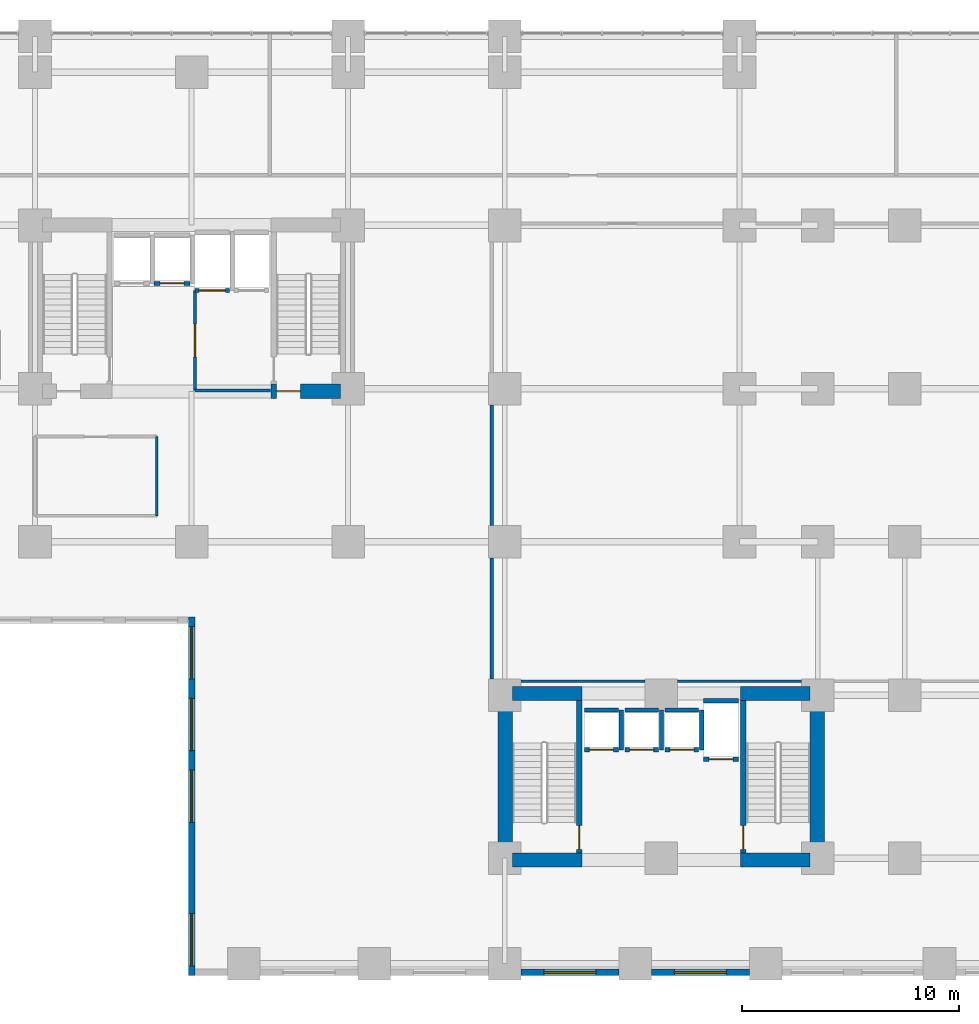
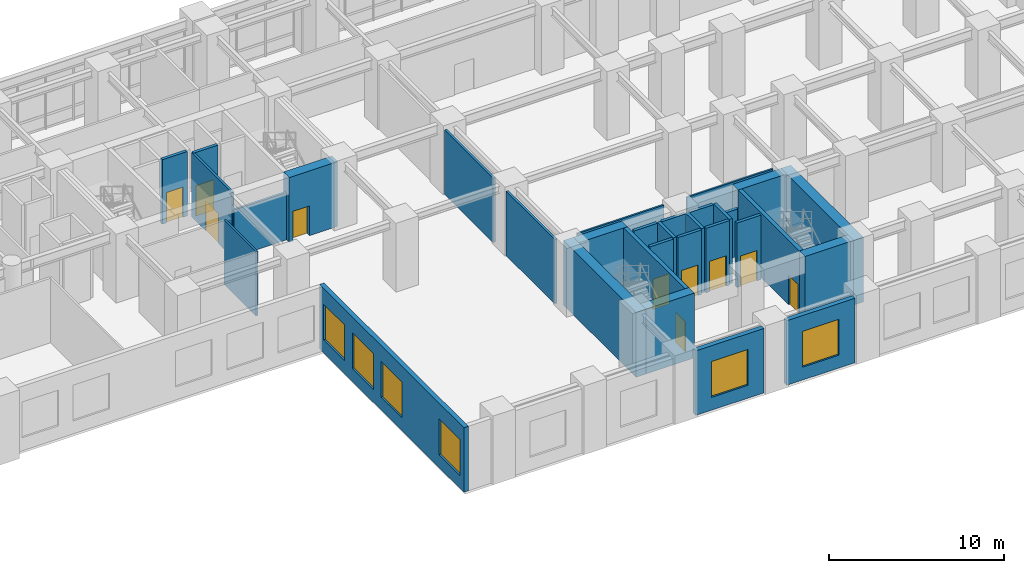
# One storey, part 16 of 22: 32 walls, 10 doors, 6 windows, 16 openings.
"""IFC4 building model written with IfcOpenShell, lengths in metres."""

from ifc_helpers import new_model, si_unit, direction, frame, frame_2d, origin, place, context, subcontext, project, spatial, rectangle, extrude, material, layer, layer_set, type_object, element, fill, save


model = new_model("IFC4")

# Units and contexts
model_context = context("Model", 3, precision=1e-05, world=origin(), true_north=direction((0.0, 1.0)))
body_context = subcontext(model_context, "Body", "Model", "MODEL_VIEW")
ifc_project = project(units=[si_unit("LENGTHUNIT", "METRE"), si_unit("AREAUNIT", "SQUARE_METRE"), si_unit("VOLUMEUNIT", "CUBIC_METRE"), si_unit("PLANEANGLEUNIT", "RADIAN"), si_unit("MASSUNIT", "GRAM", prefix="KILO")], contexts=[model_context])

# Site, building, storey
site_placement = place(None, origin())
site = spatial("IfcSite", under=ifc_project, at=site_placement, CompositionType="ELEMENT")
building_placement = place(site_placement, origin())
building = spatial("IfcBuilding", under=site, at=building_placement, Name="Kaliganga Portal Commons", CompositionType="ELEMENT")
storey_placement = place(building_placement, frame((0.0, 0.0, 5.39990234375)))
storey = spatial("IfcBuildingStorey", under=building, at=storey_placement, Name="L01", CompositionType="ELEMENT", Elevation=5.39990234375)

# Wall, opening, door
ifc_material_1 = material(Name="Concrete C70/85", Category="concrete")
ifc_layer_1 = layer(ifc_material_1, 0.64990234375)
ifc_layer_set_1 = layer_set([ifc_layer_1], Name="Concrete C70/85")
wall_type_1 = type_object("IfcWallType", Name="WL-CORE-650", PredefinedType="SHEAR", material=ifc_layer_set_1)
wall_1_placement = place(storey_placement, frame((25.25, 28.52490234375, 0.0), z_axis=(0.0, 0.0, 1.0), x_axis=(1.0, 0.0, 0.0)))
wall_1 = element("IfcWall", 1, at=wall_1_placement, inside=storey, type_object=wall_type_1, Name="Core A S-East Shear Wall L01", PredefinedType="SHEAR", context=body_context, shape_type="SweptSolid", body=[
    extrude(rectangle(XDim=3.199951171875, YDim=0.64990234375, at=frame_2d((1.60009765625, 0.0))), origin(), (0.0, 0.0, 1.0), 4.52001953125),
])
opening_1_placement = place(wall_1_placement, frame((0.25, 0.0, 0.0)))
opening_1 = element("IfcOpeningElement", 2, at=opening_1_placement, cuts=wall_1, Name="Opening SD-01", PredefinedType="OPENING", context=body_context, shape_type="SweptSolid", body=[
    extrude(rectangle(XDim=1.10009765625, YDim=2.080078125, at=frame_2d((0.550048828125, 1.0400390625))), frame((0.0, 0.3349609375, 0.0), z_axis=(0.0, -1.0, 0.0), x_axis=(1.0, 0.0, 0.0)), (0.0, 0.0, 1.0), 0.669921875),
])
ifc_material_2 = material(Name="Galvanized Steel Fire Door Leaf and Frame", Category="steel")
door_type_1 = type_object("IfcDoorType", Name="DR-STAIR-1100", OperationType="NOTDEFINED", PredefinedType="DOOR", material=ifc_material_2)
door_1_placement = place(opening_1_placement, origin())
door_1 = element("IfcDoor", 3, at=door_1_placement, inside=storey, type_object=door_type_1, Name="Protected Stair ST-A2 Concourse Fire Door L01", OperationType="SINGLE_SWING_RIGHT", OverallHeight=2.080078125, OverallWidth=1.10009765625, PredefinedType="DOOR", context=body_context, shape_type="SweptSolid", body=[
    extrude(rectangle(XDim=1.10009765625, YDim=2.080078125, at=frame_2d((0.550048828125, 1.0400390625))), frame((0.0, 0.02490234375, 0.0), z_axis=(0.0, -1.0, 0.0), x_axis=(1.0, 0.0, 0.0)), (0.0, 0.0, 1.0), 0.050048828125),
])
fill(opening_1, door_1)

# Walls
for number, where, z_axis, x_axis, name in (
    (4, (36.02490234375, 6.64990234375, 0.0), (0.0, 0.0, 1.0), (0.0, 1.0, 0.0), "Core B West Shear Wall L01"),
    (5, (50.375, 6.64990234375, 0.0), (0.0, 0.0, 1.0), (0.0, 1.0, 0.0), "Core B East Shear Wall L01"),
):
    element("IfcWall", number, at=place(storey_placement, frame(where, z_axis=z_axis, x_axis=x_axis)), inside=storey, type_object=wall_type_1, Name=name, PredefinedType="SHEAR", context=body_context, shape_type="SweptSolid", body=[
        extrude(rectangle(XDim=8.300048828125, YDim=0.64990234375, at=frame_2d((4.14990234375, 0.0))), origin(), (0.0, 0.0, 1.0), 4.52001953125),
    ])
for number, where, z_axis, x_axis, name in (
    (6, (36.35009765625, 6.97509765625, 0.0), (0.0, 0.0, 1.0), (1.0, 0.0, 0.0), "Core B S-West Shear Wall L01"),
    (7, (46.85009765625, 6.97509765625, 0.0), (0.0, 0.0, 1.0), (1.0, 0.0, 0.0), "Core B S-East Shear Wall L01"),
    (8, (36.35009765625, 14.625, 0.0), (0.0, 0.0, 1.0), (1.0, 0.0, 0.0), "Core B N-West Shear Wall L01"),
    (9, (46.85009765625, 14.625, 0.0), (0.0, 0.0, 1.0), (1.0, 0.0, 0.0), "Core B N-East Shear Wall L01"),
):
    element("IfcWall", number, at=place(storey_placement, frame(where, z_axis=z_axis, x_axis=x_axis)), inside=storey, type_object=wall_type_1, Name=name, PredefinedType="SHEAR", context=body_context, shape_type="SweptSolid", body=[
        extrude(rectangle(XDim=3.199951171875, YDim=0.64990234375, at=frame_2d((1.60009765625, 0.0))), origin(), (0.0, 0.0, 1.0), 4.52001953125),
    ])

# Wall, opening, window
ifc_material_3 = material(Name="Precast concrete C40/50", Category="concrete")
ifc_layer_2 = layer(ifc_material_3, 0.300048828125)
ifc_layer_set_2 = layer_set([ifc_layer_2], Name="Precast concrete C40/50")
wall_type_2 = type_object("IfcWallType", Name="WL-EXT-POD-300", PredefinedType="STANDARD", material=ifc_layer_set_2)
wall_2_placement = place(storey_placement, frame((41.2490234375, 1.800048828125, 0.0), z_axis=(0.0, 0.0, 1.0), x_axis=(-1.0, 0.0, 0.0)))
wall_2 = element("IfcWall", 10, at=wall_2_placement, inside=storey, type_object=wall_type_2, Name="Exterior Envelope Wall L01 P1-E00-S4", PredefinedType="STANDARD", context=body_context, shape_type="SweptSolid", body=[
    extrude(rectangle(XDim=4.498046875, YDim=0.300048828125, at=frame_2d((2.2490234375, 0.0))), origin(), (0.0, 0.0, 1.0), 4.5),
])
opening_2_placement = place(wall_2_placement, frame((1.049072265625, 0.0, 0.89990234375)))
opening_2 = element("IfcOpeningElement", 11, at=opening_2_placement, cuts=wall_2, Name="Opening W-05", PredefinedType="OPENING", context=body_context, shape_type="SweptSolid", body=[
    extrude(rectangle(XDim=2.39990234375, YDim=2.5, at=frame_2d((1.199951171875, 1.25))), frame((0.0, 0.16015625, 0.0), z_axis=(0.0, -1.0, 0.0), x_axis=(1.0, 0.0, 0.0)), (0.0, 0.0, 1.0), 0.320068359375),
])
ifc_material_4 = material(Name="Thermally Broken Aluminium and Low-E Double Glazing", Category="aluminium")
window_type = type_object("IfcWindowType", Name="WIN-POD-2400", PartitioningType="TRIPLE_PANEL_VERTICAL", PredefinedType="WINDOW", material=ifc_material_4)
window_1_placement = place(opening_2_placement, origin())
window_1 = element("IfcWindow", 12, at=window_1_placement, inside=storey, type_object=window_type, Name="Facade Window L01-P1E00S4-00", OverallHeight=2.5, OverallWidth=2.39990234375, PartitioningType="SINGLE_PANEL", PredefinedType="WINDOW", context=body_context, shape_type="SweptSolid", body=[
    extrude(rectangle(XDim=2.39990234375, YDim=2.5, at=frame_2d((1.199951171875, 1.25))), frame((0.0, 0.030029296875, 0.0), z_axis=(0.0, -1.0, 0.0), x_axis=(1.0, 0.0, 0.0)), (0.0, 0.0, 1.0), 0.06005859375),
])
fill(opening_2, window_1)

wall_3_placement = place(storey_placement, frame((47.2490234375, 1.800048828125, 0.0), z_axis=(0.0, 0.0, 1.0), x_axis=(-1.0, 0.0, 0.0)))
wall_3 = element("IfcWall", 13, at=wall_3_placement, inside=storey, type_object=wall_type_2, Name="Exterior Envelope Wall L01 P1-E00-S5", PredefinedType="STANDARD", context=body_context, shape_type="SweptSolid", body=[
    extrude(rectangle(XDim=4.498046875, YDim=0.300048828125, at=frame_2d((2.2490234375, 0.0))), origin(), (0.0, 0.0, 1.0), 4.5),
])
opening_3_placement = place(wall_3_placement, frame((1.049072265625, 0.0, 0.89990234375)))
opening_3 = element("IfcOpeningElement", 14, at=opening_3_placement, cuts=wall_3, Name="Opening W-05", PredefinedType="OPENING", context=body_context, shape_type="SweptSolid", body=[
    extrude(rectangle(XDim=2.39990234375, YDim=2.5, at=frame_2d((1.199951171875, 1.25))), frame((0.0, 0.16015625, 0.0), z_axis=(0.0, -1.0, 0.0), x_axis=(1.0, 0.0, 0.0)), (0.0, 0.0, 1.0), 0.320068359375),
])
window_2_placement = place(opening_3_placement, origin())
window_2 = element("IfcWindow", 15, at=window_2_placement, inside=storey, type_object=window_type, Name="Facade Window L01-P1E00S5-00", OverallHeight=2.5, OverallWidth=2.39990234375, PartitioningType="SINGLE_PANEL", PredefinedType="WINDOW", context=body_context, shape_type="SweptSolid", body=[
    extrude(rectangle(XDim=2.39990234375, YDim=2.5, at=frame_2d((1.199951171875, 1.25))), frame((0.0, 0.030029296875, 0.0), z_axis=(0.0, -1.0, 0.0), x_axis=(1.0, 0.0, 0.0)), (0.0, 0.0, 1.0), 0.06005859375),
])
fill(opening_3, window_2)

# Wall, openings, windows
wall_4_placement = place(storey_placement, frame((21.60009765625, 1.64990234375, 0.0), z_axis=(0.0, 0.0, 1.0), x_axis=(0.0, 1.0, 0.0)))
wall_4 = element("IfcWall", 16, at=wall_4_placement, inside=storey, type_object=wall_type_2, Name="Exterior Envelope Wall L01 P1-E05-S1", PredefinedType="STANDARD", context=body_context, shape_type="SweptSolid", body=[
    extrude(rectangle(XDim=16.5, YDim=0.300048828125, at=frame_2d((8.25, 0.0))), origin(), (0.0, 0.0, 1.0), 4.5),
])
opening_4_placement = place(wall_4_placement, frame((0.449951171875, 0.0, 0.89990234375)))
opening_4 = element("IfcOpeningElement", 17, at=opening_4_placement, cuts=wall_4, Name="Opening W-05", PredefinedType="OPENING", context=body_context, shape_type="SweptSolid", body=[
    extrude(rectangle(XDim=2.39990234375, YDim=2.5, at=frame_2d((1.199951171875, 1.25))), frame((0.0, 0.16015625, 0.0), z_axis=(0.0, -1.0, 0.0), x_axis=(1.0, 0.0, 0.0)), (0.0, 0.0, 1.0), 0.320068359375),
])
opening_5_placement = place(wall_4_placement, frame((7.050048828125, 0.0, 0.89990234375)))
opening_5 = element("IfcOpeningElement", 18, at=opening_5_placement, cuts=wall_4, Name="Opening W-05", PredefinedType="OPENING", context=body_context, shape_type="SweptSolid", body=[
    extrude(rectangle(XDim=2.39990234375, YDim=2.5, at=frame_2d((1.199951171875, 1.25))), frame((0.0, 0.16015625, 0.0), z_axis=(0.0, -1.0, 0.0), x_axis=(1.0, 0.0, 0.0)), (0.0, 0.0, 1.0), 0.320068359375),
])
opening_6_placement = place(wall_4_placement, frame((10.35009765625, 0.0, 0.89990234375)))
opening_6 = element("IfcOpeningElement", 19, at=opening_6_placement, cuts=wall_4, Name="Opening W-05", PredefinedType="OPENING", context=body_context, shape_type="SweptSolid", body=[
    extrude(rectangle(XDim=2.39990234375, YDim=2.5, at=frame_2d((1.199951171875, 1.25))), frame((0.0, 0.16015625, 0.0), z_axis=(0.0, -1.0, 0.0), x_axis=(1.0, 0.0, 0.0)), (0.0, 0.0, 1.0), 0.320068359375),
])
opening_7_placement = place(wall_4_placement, frame((13.64990234375, 0.0, 0.89990234375)))
opening_7 = element("IfcOpeningElement", 20, at=opening_7_placement, cuts=wall_4, Name="Opening W-05", PredefinedType="OPENING", context=body_context, shape_type="SweptSolid", body=[
    extrude(rectangle(XDim=2.39990234375, YDim=2.5, at=frame_2d((1.199951171875, 1.25))), frame((0.0, 0.16015625, 0.0), z_axis=(0.0, -1.0, 0.0), x_axis=(1.0, 0.0, 0.0)), (0.0, 0.0, 1.0), 0.320068359375),
])
window_3_placement = place(opening_4_placement, origin())
window_3 = element("IfcWindow", 21, at=window_3_placement, inside=storey, type_object=window_type, Name="Facade Window L01-P1E05S1-00", OverallHeight=2.5, OverallWidth=2.39990234375, PartitioningType="SINGLE_PANEL", PredefinedType="WINDOW", context=body_context, shape_type="SweptSolid", body=[
    extrude(rectangle(XDim=2.39990234375, YDim=2.5, at=frame_2d((1.199951171875, 1.25))), frame((0.0, 0.030029296875, 0.0), z_axis=(0.0, -1.0, 0.0), x_axis=(1.0, 0.0, 0.0)), (0.0, 0.0, 1.0), 0.06005859375),
])
fill(opening_4, window_3)
window_4_placement = place(opening_5_placement, origin())
window_4 = element("IfcWindow", 22, at=window_4_placement, inside=storey, type_object=window_type, Name="Facade Window L01-P1E05S1-02", OverallHeight=2.5, OverallWidth=2.39990234375, PartitioningType="SINGLE_PANEL", PredefinedType="WINDOW", context=body_context, shape_type="SweptSolid", body=[
    extrude(rectangle(XDim=2.39990234375, YDim=2.5, at=frame_2d((1.199951171875, 1.25))), frame((0.0, 0.030029296875, 0.0), z_axis=(0.0, -1.0, 0.0), x_axis=(1.0, 0.0, 0.0)), (0.0, 0.0, 1.0), 0.06005859375),
])
fill(opening_5, window_4)
window_5_placement = place(opening_6_placement, origin())
window_5 = element("IfcWindow", 23, at=window_5_placement, inside=storey, type_object=window_type, Name="Facade Window L01-P1E05S1-03", OverallHeight=2.5, OverallWidth=2.39990234375, PartitioningType="SINGLE_PANEL", PredefinedType="WINDOW", context=body_context, shape_type="SweptSolid", body=[
    extrude(rectangle(XDim=2.39990234375, YDim=2.5, at=frame_2d((1.199951171875, 1.25))), frame((0.0, 0.030029296875, 0.0), z_axis=(0.0, -1.0, 0.0), x_axis=(1.0, 0.0, 0.0)), (0.0, 0.0, 1.0), 0.06005859375),
])
fill(opening_6, window_5)
window_6_placement = place(opening_7_placement, origin())
window_6 = element("IfcWindow", 24, at=window_6_placement, inside=storey, type_object=window_type, Name="Facade Window L01-P1E05S1-04", OverallHeight=2.5, OverallWidth=2.39990234375, PartitioningType="SINGLE_PANEL", PredefinedType="WINDOW", context=body_context, shape_type="SweptSolid", body=[
    extrude(rectangle(XDim=2.39990234375, YDim=2.5, at=frame_2d((1.199951171875, 1.25))), frame((0.0, 0.030029296875, 0.0), z_axis=(0.0, -1.0, 0.0), x_axis=(1.0, 0.0, 0.0)), (0.0, 0.0, 1.0), 0.06005859375),
])
fill(opening_7, window_6)

# Walls
ifc_material_5 = material(Name="Fire-Rated Gypsum Board on Steel Stud", Category="steel")
ifc_layer_3 = layer(ifc_material_5, 0.14990234375)
ifc_layer_set_3 = layer_set([ifc_layer_3], Name="Fire-Rated Gypsum Board on Steel Stud")
wall_type_3 = type_object("IfcWallType", Name="WL-PART-CORR-150", PredefinedType="PARTITIONING", material=ifc_layer_set_3)
wall_5_placement = place(storey_placement, frame((35.39990234375, 15.300048828125, 0.0), z_axis=(0.0, 0.0, 1.0), x_axis=(0.0, 1.0, 0.0)))
element("IfcWall", 25, at=wall_5_placement, inside=storey, type_object=wall_type_3, Name="Interior Partition L01-009", PredefinedType="PARTITIONING", context=body_context, shape_type="SweptSolid", body=[
    extrude(rectangle(XDim=5.550048828125, YDim=0.14990234375, at=frame_2d((2.77490234375, 0.0))), origin(), (0.0, 0.0, 1.0), 4.5),
])
wall_6_placement = place(storey_placement, frame((35.39990234375, 22.35009765625, 0.0), z_axis=(0.0, 0.0, 1.0), x_axis=(0.0, 1.0, 0.0)))
element("IfcWall", 26, at=wall_6_placement, inside=storey, type_object=wall_type_3, Name="Interior Partition L01-010", PredefinedType="PARTITIONING", context=body_context, shape_type="SweptSolid", body=[
    extrude(rectangle(XDim=5.5498046875, YDim=0.14990234375, at=frame_2d((2.77490234375, 0.0))), origin(), (0.0, 0.0, 1.0), 4.5),
])

# Wall, opening, door
wall_7_placement = place(storey_placement, frame((21.760009765625, 28.56005859375, 0.0), z_axis=(0.0, 0.0, 1.0), x_axis=(0.0, 1.0, 0.0)))
wall_7 = element("IfcWall", 27, at=wall_7_placement, inside=storey, type_object=wall_type_3, Name="Interior Partition L01-034", PredefinedType="PARTITIONING", context=body_context, shape_type="SweptSolid", body=[
    extrude(rectangle(XDim=4.599853515625, YDim=0.14990234375, at=frame_2d((2.2998046875, 0.0))), origin(), (0.0, 0.0, 1.0), 4.5),
])
opening_8_placement = place(wall_7_placement, frame((1.550048828125, 0.0, 0.0)))
opening_8 = element("IfcOpeningElement", 28, at=opening_8_placement, cuts=wall_7, Name="Opening FD-01", PredefinedType="OPENING", context=body_context, shape_type="SweptSolid", body=[
    extrude(rectangle(XDim=1.5, YDim=2.10009765625, at=frame_2d((0.75, 1.050048828125))), frame((0.0, 0.0849609375, 0.0), z_axis=(0.0, -1.0, 0.0), x_axis=(1.0, 0.0, 0.0)), (0.0, 0.0, 1.0), 0.169921875),
])
ifc_material_6 = material(Name="Fire-Rated Hardwood and Georgian-Wired Vision Panel", Category="wood")
door_type_2 = type_object("IfcDoorType", Name="DR-LOBBY-1500", OperationType="DOUBLE_DOOR_SINGLE_SWING", PredefinedType="DOOR", material=ifc_material_6)
door_2_placement = place(opening_8_placement, origin())
door_2 = element("IfcDoor", 29, at=door_2_placement, inside=storey, type_object=door_type_2, Name="Interior Door L01-FFLOB_A", OperationType="DOUBLE_DOOR_SINGLE_SWING", OverallHeight=2.10009765625, OverallWidth=1.5, PredefinedType="DOOR", context=body_context, shape_type="SweptSolid", body=[
    extrude(rectangle(XDim=1.5, YDim=2.10009765625, at=frame_2d((0.75, 1.050048828125))), frame((0.0, 0.02490234375, 0.0), z_axis=(0.0, -1.0, 0.0), x_axis=(1.0, 0.0, 0.0)), (0.0, 0.0, 1.0), 0.050048828125),
])
fill(opening_8, door_2)

# Walls
wall_8_placement = place(storey_placement, frame((21.760009765625, 28.56005859375, 0.0), z_axis=(0.0, 0.0, 1.0), x_axis=(1.0, 0.0, 0.0)))
element("IfcWall", 30, at=wall_8_placement, inside=storey, type_object=wall_type_3, Name="Interior Partition L01-037", PredefinedType="PARTITIONING", context=body_context, shape_type="SweptSolid", body=[
    extrude(rectangle(XDim=3.47998046875, YDim=0.14990234375, at=frame_2d((1.739990234375, 0.0))), origin(), (0.0, 0.0, 1.0), 3.300048828125),
])
ifc_material_7 = material(Name="Moisture-Resistant Gypsum Partition", Category="gypsum")
ifc_layer_4 = layer(ifc_material_7, 0.114990234375)
ifc_layer_set_4 = layer_set([ifc_layer_4], Name="Moisture-Resistant Gypsum Partition")
wall_type_4 = type_object("IfcWallType", Name="WL-PART-ROOM-115", PredefinedType="PARTITIONING", material=ifc_layer_set_4)
for number, where, z_axis, x_axis, name in (
    (31, (36.75, 15.199951171875, 0.0), (0.0, 0.0, 1.0), (1.0, 0.0, 0.0), "Interior Partition L01-024"),
    (32, (43.949951171875, 15.199951171875, 0.0), (0.0, 0.0, 1.0), (1.0, 0.0, 0.0), "Interior Partition L01-025"),
):
    element("IfcWall", number, at=place(storey_placement, frame(where, z_axis=z_axis, x_axis=x_axis)), inside=storey, type_object=wall_type_4, Name=name, PredefinedType="PARTITIONING", context=body_context, shape_type="SweptSolid", body=[
        extrude(rectangle(XDim=5.699951171875, YDim=0.114990234375, at=frame_2d((2.85009765625, 0.0))), origin(), (0.0, 0.0, 1.0), 4.5),
    ])
ifc_material_8 = material(Name="Cement-Board Wet-Room Partition", Category="gypsum")
ifc_layer_5 = layer(ifc_material_8, 0.135009765625)
ifc_layer_set_5 = layer_set([ifc_layer_5], Name="Cement-Board Wet-Room Partition")
wall_type_5 = type_object("IfcWallType", Name="WL-PART-WET-135", PredefinedType="PARTITIONING", material=ifc_layer_set_5)
wall_9_placement = place(storey_placement, frame((20.0, 22.800048828125, 0.0), z_axis=(0.0, 0.0, 1.0), x_axis=(0.0, 1.0, 0.0)))
element("IfcWall", 33, at=wall_9_placement, inside=storey, type_object=wall_type_5, Name="Interior Partition L01-036", PredefinedType="PARTITIONING", context=body_context, shape_type="SweptSolid", body=[
    extrude(rectangle(XDim=3.639892578125, YDim=0.135009765625, at=frame_2d((1.81982421875, 0.0))), origin(), (0.0, 0.0, 1.0), 4.5),
])

# Wall, opening, door
ifc_material_9 = material(Name="Fire-Rated Shaftwall Masonry Assembly", Category="masonry")
ifc_layer_6 = layer(ifc_material_9, 0.199951171875)
ifc_layer_set_6 = layer_set([ifc_layer_6], Name="Fire-Rated Shaftwall Masonry Assembly")
wall_type_6 = type_object("IfcWallType", Name="WL-SHAFT-200", PredefinedType="PARTITIONING", material=ifc_layer_set_6)
wall_10_placement = place(storey_placement, frame((19.875, 33.485107421875, 0.0), z_axis=(0.0, 0.0, 1.0), x_axis=(1.0, 0.0, 0.0)))
wall_10 = element("IfcWall", 34, at=wall_10_placement, inside=storey, type_object=wall_type_6, Name="Lift PL-A2 Hoistway Shaft Wall L01-S", PredefinedType="PARTITIONING", context=body_context, shape_type="SweptSolid", body=[
    extrude(rectangle(XDim=1.64990234375, YDim=0.199951171875, at=frame_2d((0.824951171875, 0.0))), origin(), (0.0, 0.0, 1.0), 4.5),
])
opening_9_placement = place(wall_10_placement, frame((0.27490234375, 0.0, 0.0)))
opening_9 = element("IfcOpeningElement", 35, at=opening_9_placement, cuts=wall_10, Name="Opening LD-01", PredefinedType="OPENING", context=body_context, shape_type="SweptSolid", body=[
    extrude(rectangle(XDim=1.10009765625, YDim=2.1201171875, at=frame_2d((0.550048828125, 1.06005859375))), frame((0.0, 0.10986328125, 0.0), z_axis=(0.0, -1.0, 0.0), x_axis=(1.0, 0.0, 0.0)), (0.0, 0.0, 1.0), 0.219970703125),
])
ifc_material_10 = material(Name="Brushed Stainless Steel 316 Lift Landing Door", Category="steel")
door_type_3 = type_object("IfcDoorType", Name="DR-LIFT-1100", OperationType="SLIDING_TO_LEFT", PredefinedType="DOOR", material=ifc_material_10)
door_3_placement = place(opening_9_placement, origin())
door_3 = element("IfcDoor", 36, at=door_3_placement, inside=storey, type_object=door_type_3, Name="Lift PL-A2 Sliding Landing Door L01", OperationType="SLIDING_TO_LEFT", OverallHeight=2.1201171875, OverallWidth=1.10009765625, PredefinedType="DOOR", context=body_context, shape_type="SweptSolid", body=[
    extrude(rectangle(XDim=1.10009765625, YDim=2.1201171875, at=frame_2d((0.550048828125, 1.06005859375))), frame((0.0, 0.02490234375, 0.0), z_axis=(0.0, -1.0, 0.0), x_axis=(1.0, 0.0, 0.0)), (0.0, 0.0, 1.0), 0.050048828125),
])
fill(opening_9, door_3)

wall_11_placement = place(storey_placement, frame((21.75, 33.159912109375, 0.0), z_axis=(0.0, 0.0, 1.0), x_axis=(1.0, 0.0, 0.0)))
wall_11 = element("IfcWall", 37, at=wall_11_placement, inside=storey, type_object=wall_type_6, Name="Lift FFL-1 Hoistway Shaft Wall L01-S", PredefinedType="PARTITIONING", context=body_context, shape_type="SweptSolid", body=[
    extrude(rectangle(XDim=1.60009765625, YDim=0.199951171875, at=frame_2d((0.800048828125, 0.0))), origin(), (0.0, 0.0, 1.0), 4.5),
])
opening_10_placement = place(wall_11_placement, frame((0.199951171875, 0.0, 0.0)))
opening_10 = element("IfcOpeningElement", 38, at=opening_10_placement, cuts=wall_11, Name="Opening LD-02", PredefinedType="OPENING", context=body_context, shape_type="SweptSolid", body=[
    extrude(rectangle(XDim=1.199951171875, YDim=2.1201171875, at=frame_2d((0.60009765625, 1.06005859375))), frame((0.0, 0.10986328125, 0.0), z_axis=(0.0, -1.0, 0.0), x_axis=(1.0, 0.0, 0.0)), (0.0, 0.0, 1.0), 0.219970703125),
])
ifc_material_11 = material(Name="Brushed Stainless Steel 316 Stretcher Lift Landing Door", Category="steel")
door_type_4 = type_object("IfcDoorType", Name="DR-LIFT-1200", OperationType="SLIDING_TO_RIGHT", PredefinedType="DOOR", material=ifc_material_11)
door_4_placement = place(opening_10_placement, origin())
door_4 = element("IfcDoor", 39, at=door_4_placement, inside=storey, type_object=door_type_4, Name="Lift FFL-1 Sliding Landing Door L01", OperationType="SLIDING_TO_RIGHT", OverallHeight=2.1201171875, OverallWidth=1.199951171875, PredefinedType="DOOR", context=body_context, shape_type="SweptSolid", body=[
    extrude(rectangle(XDim=1.199951171875, YDim=2.1201171875, at=frame_2d((0.60009765625, 1.06005859375))), frame((0.0, 0.02490234375, 0.0), z_axis=(0.0, -1.0, 0.0), x_axis=(1.0, 0.0, 0.0)), (0.0, 0.0, 1.0), 0.050048828125),
])
fill(opening_10, door_4)

wall_12_placement = place(storey_placement, frame((39.675048828125, 12.034912109375, 0.0), z_axis=(0.0, 0.0, 1.0), x_axis=(1.0, 0.0, 0.0)))
wall_12 = element("IfcWall", 40, at=wall_12_placement, inside=storey, type_object=wall_type_6, Name="Lift PL-B1 Hoistway Shaft Wall L01-S", PredefinedType="PARTITIONING", context=body_context, shape_type="SweptSolid", body=[
    extrude(rectangle(XDim=1.550048828125, YDim=0.199951171875, at=frame_2d((0.77490234375, 0.0))), origin(), (0.0, 0.0, 1.0), 4.5),
])
opening_11_placement = place(wall_12_placement, frame((0.22509765625, 0.0, 0.0)))
opening_11 = element("IfcOpeningElement", 41, at=opening_11_placement, cuts=wall_12, Name="Opening LD-01", PredefinedType="OPENING", context=body_context, shape_type="SweptSolid", body=[
    extrude(rectangle(XDim=1.10009765625, YDim=2.1201171875, at=frame_2d((0.550048828125, 1.06005859375))), frame((0.0, 0.10986328125, 0.0), z_axis=(0.0, -1.0, 0.0), x_axis=(1.0, 0.0, 0.0)), (0.0, 0.0, 1.0), 0.219970703125),
])
door_5_placement = place(opening_11_placement, origin())
door_5 = element("IfcDoor", 42, at=door_5_placement, inside=storey, type_object=door_type_3, Name="Lift PL-B1 Sliding Landing Door L01", OperationType="SLIDING_TO_LEFT", OverallHeight=2.1201171875, OverallWidth=1.10009765625, PredefinedType="DOOR", context=body_context, shape_type="SweptSolid", body=[
    extrude(rectangle(XDim=1.10009765625, YDim=2.1201171875, at=frame_2d((0.550048828125, 1.06005859375))), frame((0.0, 0.02490234375, 0.0), z_axis=(0.0, -1.0, 0.0), x_axis=(1.0, 0.0, 0.0)), (0.0, 0.0, 1.0), 0.050048828125),
])
fill(opening_11, door_5)

# Walls
wall_13_placement = place(storey_placement, frame((39.675048828125, 13.864990234375, 0.0), z_axis=(0.0, 0.0, 1.0), x_axis=(1.0, 0.0, 0.0)))
element("IfcWall", 43, at=wall_13_placement, inside=storey, type_object=wall_type_6, Name="Lift PL-B1 Hoistway Shaft Wall L01-N", PredefinedType="PARTITIONING", context=body_context, shape_type="SweptSolid", body=[
    extrude(rectangle(XDim=1.550048828125, YDim=0.199951171875, at=frame_2d((0.77490234375, 0.0))), origin(), (0.0, 0.0, 1.0), 4.5),
])
wall_14_placement = place(storey_placement, frame((41.364990234375, 12.034912109375, 0.0), z_axis=(0.0, 0.0, 1.0), x_axis=(0.0, 1.0, 0.0)))
element("IfcWall", 44, at=wall_14_placement, inside=storey, type_object=wall_type_6, Name="Lift PL-B1 Hoistway Shaft Wall L01-E", PredefinedType="PARTITIONING", context=body_context, shape_type="SweptSolid", body=[
    extrude(rectangle(XDim=1.830078125, YDim=0.199951171875, at=frame_2d((0.9150390625, 0.0))), origin(), (0.0, 0.0, 1.0), 4.5),
])

# Wall, opening, door
wall_15_placement = place(storey_placement, frame((41.52490234375, 12.034912109375, 0.0), z_axis=(0.0, 0.0, 1.0), x_axis=(1.0, 0.0, 0.0)))
wall_15 = element("IfcWall", 45, at=wall_15_placement, inside=storey, type_object=wall_type_6, Name="Lift PL-B2 Hoistway Shaft Wall L01-S", PredefinedType="PARTITIONING", context=body_context, shape_type="SweptSolid", body=[
    extrude(rectangle(XDim=1.550048828125, YDim=0.199951171875, at=frame_2d((0.77490234375, 0.0))), origin(), (0.0, 0.0, 1.0), 4.5),
])
opening_12_placement = place(wall_15_placement, frame((0.22509765625, 0.0, 0.0)))
opening_12 = element("IfcOpeningElement", 46, at=opening_12_placement, cuts=wall_15, Name="Opening LD-01", PredefinedType="OPENING", context=body_context, shape_type="SweptSolid", body=[
    extrude(rectangle(XDim=1.10009765625, YDim=2.1201171875, at=frame_2d((0.550048828125, 1.06005859375))), frame((0.0, 0.10986328125, 0.0), z_axis=(0.0, -1.0, 0.0), x_axis=(1.0, 0.0, 0.0)), (0.0, 0.0, 1.0), 0.219970703125),
])
door_6_placement = place(opening_12_placement, origin())
door_6 = element("IfcDoor", 47, at=door_6_placement, inside=storey, type_object=door_type_3, Name="Lift PL-B2 Sliding Landing Door L01", OperationType="SLIDING_TO_LEFT", OverallHeight=2.1201171875, OverallWidth=1.10009765625, PredefinedType="DOOR", context=body_context, shape_type="SweptSolid", body=[
    extrude(rectangle(XDim=1.10009765625, YDim=2.1201171875, at=frame_2d((0.550048828125, 1.06005859375))), frame((0.0, 0.02490234375, 0.0), z_axis=(0.0, -1.0, 0.0), x_axis=(1.0, 0.0, 0.0)), (0.0, 0.0, 1.0), 0.050048828125),
])
fill(opening_12, door_6)

# Walls
wall_16_placement = place(storey_placement, frame((41.52490234375, 13.864990234375, 0.0), z_axis=(0.0, 0.0, 1.0), x_axis=(1.0, 0.0, 0.0)))
element("IfcWall", 48, at=wall_16_placement, inside=storey, type_object=wall_type_6, Name="Lift PL-B2 Hoistway Shaft Wall L01-N", PredefinedType="PARTITIONING", context=body_context, shape_type="SweptSolid", body=[
    extrude(rectangle(XDim=1.550048828125, YDim=0.199951171875, at=frame_2d((0.77490234375, 0.0))), origin(), (0.0, 0.0, 1.0), 4.5),
])
wall_17_placement = place(storey_placement, frame((43.215087890625, 12.034912109375, 0.0), z_axis=(0.0, 0.0, 1.0), x_axis=(0.0, 1.0, 0.0)))
element("IfcWall", 49, at=wall_17_placement, inside=storey, type_object=wall_type_6, Name="Lift PL-B2 Hoistway Shaft Wall L01-E", PredefinedType="PARTITIONING", context=body_context, shape_type="SweptSolid", body=[
    extrude(rectangle(XDim=1.830078125, YDim=0.199951171875, at=frame_2d((0.9150390625, 0.0))), origin(), (0.0, 0.0, 1.0), 4.5),
])

# Wall, opening, door
wall_18_placement = place(storey_placement, frame((43.375, 12.034912109375, 0.0), z_axis=(0.0, 0.0, 1.0), x_axis=(1.0, 0.0, 0.0)))
wall_18 = element("IfcWall", 50, at=wall_18_placement, inside=storey, type_object=wall_type_6, Name="Lift SH-2 Hoistway Shaft Wall L01-S", PredefinedType="PARTITIONING", context=body_context, shape_type="SweptSolid", body=[
    extrude(rectangle(XDim=1.550048828125, YDim=0.199951171875, at=frame_2d((0.77490234375, 0.0))), origin(), (0.0, 0.0, 1.0), 4.5),
])
opening_13_placement = place(wall_18_placement, frame((0.22509765625, 0.0, 0.0)))
opening_13 = element("IfcOpeningElement", 51, at=opening_13_placement, cuts=wall_18, Name="Opening LD-01", PredefinedType="OPENING", context=body_context, shape_type="SweptSolid", body=[
    extrude(rectangle(XDim=1.10009765625, YDim=2.1201171875, at=frame_2d((0.550048828125, 1.06005859375))), frame((0.0, 0.10986328125, 0.0), z_axis=(0.0, -1.0, 0.0), x_axis=(1.0, 0.0, 0.0)), (0.0, 0.0, 1.0), 0.219970703125),
])
door_7_placement = place(opening_13_placement, origin())
door_7 = element("IfcDoor", 52, at=door_7_placement, inside=storey, type_object=door_type_3, Name="Lift SH-2 Sliding Landing Door L01", OperationType="SLIDING_TO_LEFT", OverallHeight=2.1201171875, OverallWidth=1.10009765625, PredefinedType="DOOR", context=body_context, shape_type="SweptSolid", body=[
    extrude(rectangle(XDim=1.10009765625, YDim=2.1201171875, at=frame_2d((0.550048828125, 1.06005859375))), frame((0.0, 0.02490234375, 0.0), z_axis=(0.0, -1.0, 0.0), x_axis=(1.0, 0.0, 0.0)), (0.0, 0.0, 1.0), 0.050048828125),
])
fill(opening_13, door_7)

# Walls
wall_19_placement = place(storey_placement, frame((43.375, 13.864990234375, 0.0), z_axis=(0.0, 0.0, 1.0), x_axis=(1.0, 0.0, 0.0)))
element("IfcWall", 53, at=wall_19_placement, inside=storey, type_object=wall_type_6, Name="Lift SH-2 Hoistway Shaft Wall L01-N", PredefinedType="PARTITIONING", context=body_context, shape_type="SweptSolid", body=[
    extrude(rectangle(XDim=1.550048828125, YDim=0.199951171875, at=frame_2d((0.77490234375, 0.0))), origin(), (0.0, 0.0, 1.0), 4.5),
])
wall_20_placement = place(storey_placement, frame((45.06494140625, 12.034912109375, 0.0), z_axis=(0.0, 0.0, 1.0), x_axis=(0.0, 1.0, 0.0)))
element("IfcWall", 54, at=wall_20_placement, inside=storey, type_object=wall_type_6, Name="Lift SH-2 Hoistway Shaft Wall L01-E", PredefinedType="PARTITIONING", context=body_context, shape_type="SweptSolid", body=[
    extrude(rectangle(XDim=1.830078125, YDim=0.199951171875, at=frame_2d((0.9150390625, 0.0))), origin(), (0.0, 0.0, 1.0), 4.5),
])

# Wall, opening, door
wall_21_placement = place(storey_placement, frame((45.14990234375, 11.610107421875, 0.0), z_axis=(0.0, 0.0, 1.0), x_axis=(1.0, 0.0, 0.0)))
wall_21 = element("IfcWall", 55, at=wall_21_placement, inside=storey, type_object=wall_type_6, Name="Lift SL-B1 Hoistway Shaft Wall L01-S", PredefinedType="PARTITIONING", context=body_context, shape_type="SweptSolid", body=[
    extrude(rectangle(XDim=1.60009765625, YDim=0.199951171875, at=frame_2d((0.800048828125, 0.0))), origin(), (0.0, 0.0, 1.0), 4.5),
])
opening_14_placement = place(wall_21_placement, frame((0.25, 0.0, 0.0)))
opening_14 = element("IfcOpeningElement", 56, at=opening_14_placement, cuts=wall_21, Name="Opening LD-01", PredefinedType="OPENING", context=body_context, shape_type="SweptSolid", body=[
    extrude(rectangle(XDim=1.10009765625, YDim=2.1201171875, at=frame_2d((0.550048828125, 1.06005859375))), frame((0.0, 0.10986328125, 0.0), z_axis=(0.0, -1.0, 0.0), x_axis=(1.0, 0.0, 0.0)), (0.0, 0.0, 1.0), 0.219970703125),
])
door_8_placement = place(opening_14_placement, origin())
door_8 = element("IfcDoor", 57, at=door_8_placement, inside=storey, type_object=door_type_3, Name="Lift SL-B1 Sliding Landing Door L01", OperationType="SLIDING_TO_LEFT", OverallHeight=2.1201171875, OverallWidth=1.10009765625, PredefinedType="DOOR", context=body_context, shape_type="SweptSolid", body=[
    extrude(rectangle(XDim=1.10009765625, YDim=2.1201171875, at=frame_2d((0.550048828125, 1.06005859375))), frame((0.0, 0.02490234375, 0.0), z_axis=(0.0, -1.0, 0.0), x_axis=(1.0, 0.0, 0.0)), (0.0, 0.0, 1.0), 0.050048828125),
])
fill(opening_14, door_8)

# Wall
wall_22_placement = place(storey_placement, frame((45.14990234375, 14.2900390625, 0.0), z_axis=(0.0, 0.0, 1.0), x_axis=(1.0, 0.0, 0.0)))
element("IfcWall", 58, at=wall_22_placement, inside=storey, type_object=wall_type_6, Name="Lift SL-B1 Hoistway Shaft Wall L01-N", PredefinedType="PARTITIONING", context=body_context, shape_type="SweptSolid", body=[
    extrude(rectangle(XDim=1.60009765625, YDim=0.199951171875, at=frame_2d((0.800048828125, 0.0))), origin(), (0.0, 0.0, 1.0), 3.300048828125),
])

# Wall, opening, door
ifc_material_12 = material(Name="Concrete C50/60", Category="concrete")
ifc_layer_7 = layer(ifc_material_12, 0.25)
ifc_layer_set_7 = layer_set([ifc_layer_7], Name="Concrete C50/60")
wall_type_7 = type_object("IfcWallType", Name="WL-STAIR-250", PredefinedType="SHEAR", material=ifc_layer_set_7)
wall_23_placement = place(storey_placement, frame((39.425048828125, 7.300048828125, 0.0), z_axis=(0.0, 0.0, 1.0), x_axis=(0.0, 1.0, 0.0)))
wall_23 = element("IfcWall", 59, at=wall_23_placement, inside=storey, type_object=wall_type_7, Name="Stair B1 Enclosure Shear Wall L01", PredefinedType="SHEAR", context=body_context, shape_type="SweptSolid", body=[
    extrude(rectangle(XDim=7.0, YDim=0.25, at=frame_2d((3.5, 0.0))), origin(), (0.0, 0.0, 1.0), 4.52001953125),
])
opening_15_placement = place(wall_23_placement, frame((0.14990234375, 0.0, 0.0)))
opening_15 = element("IfcOpeningElement", 60, at=opening_15_placement, cuts=wall_23, Name="Opening SD-01", PredefinedType="OPENING", context=body_context, shape_type="SweptSolid", body=[
    extrude(rectangle(XDim=1.10009765625, YDim=2.080078125, at=frame_2d((0.550048828125, 1.0400390625))), frame((0.0, 0.135009765625, 0.0), z_axis=(0.0, -1.0, 0.0), x_axis=(1.0, 0.0, 0.0)), (0.0, 0.0, 1.0), 0.27001953125),
])
door_9_placement = place(opening_15_placement, origin())
door_9 = element("IfcDoor", 61, at=door_9_placement, inside=storey, type_object=door_type_1, Name="Protected Stair ST-B1 Fire Door L01", OperationType="SINGLE_SWING_LEFT", OverallHeight=2.080078125, OverallWidth=1.10009765625, PredefinedType="DOOR", context=body_context, shape_type="SweptSolid", body=[
    extrude(rectangle(XDim=1.10009765625, YDim=2.080078125, at=frame_2d((0.550048828125, 1.0400390625))), frame((0.0, 0.02490234375, 0.0), z_axis=(0.0, -1.0, 0.0), x_axis=(1.0, 0.0, 0.0)), (0.0, 0.0, 1.0), 0.050048828125),
])
fill(opening_15, door_9)

wall_24_placement = place(storey_placement, frame((46.97509765625, 7.300048828125, 0.0), z_axis=(0.0, 0.0, 1.0), x_axis=(0.0, 1.0, 0.0)))
wall_24 = element("IfcWall", 62, at=wall_24_placement, inside=storey, type_object=wall_type_7, Name="Stair B2 Enclosure Shear Wall L01", PredefinedType="SHEAR", context=body_context, shape_type="SweptSolid", body=[
    extrude(rectangle(XDim=7.0, YDim=0.25, at=frame_2d((3.5, 0.0))), origin(), (0.0, 0.0, 1.0), 4.52001953125),
])
opening_16_placement = place(wall_24_placement, frame((0.14990234375, 0.0, 0.0)))
opening_16 = element("IfcOpeningElement", 63, at=opening_16_placement, cuts=wall_24, Name="Opening SD-01", PredefinedType="OPENING", context=body_context, shape_type="SweptSolid", body=[
    extrude(rectangle(XDim=1.10009765625, YDim=2.080078125, at=frame_2d((0.550048828125, 1.0400390625))), frame((0.0, 0.135009765625, 0.0), z_axis=(0.0, -1.0, 0.0), x_axis=(1.0, 0.0, 0.0)), (0.0, 0.0, 1.0), 0.27001953125),
])
door_10_placement = place(opening_16_placement, origin())
door_10 = element("IfcDoor", 64, at=door_10_placement, inside=storey, type_object=door_type_1, Name="Protected Stair ST-B2 Fire Door L01", OperationType="SINGLE_SWING_RIGHT", OverallHeight=2.080078125, OverallWidth=1.10009765625, PredefinedType="DOOR", context=body_context, shape_type="SweptSolid", body=[
    extrude(rectangle(XDim=1.10009765625, YDim=2.080078125, at=frame_2d((0.550048828125, 1.0400390625))), frame((0.0, 0.02490234375, 0.0), z_axis=(0.0, -1.0, 0.0), x_axis=(1.0, 0.0, 0.0)), (0.0, 0.0, 1.0), 0.050048828125),
])
fill(opening_16, door_10)

save(model, "model.ifc")
